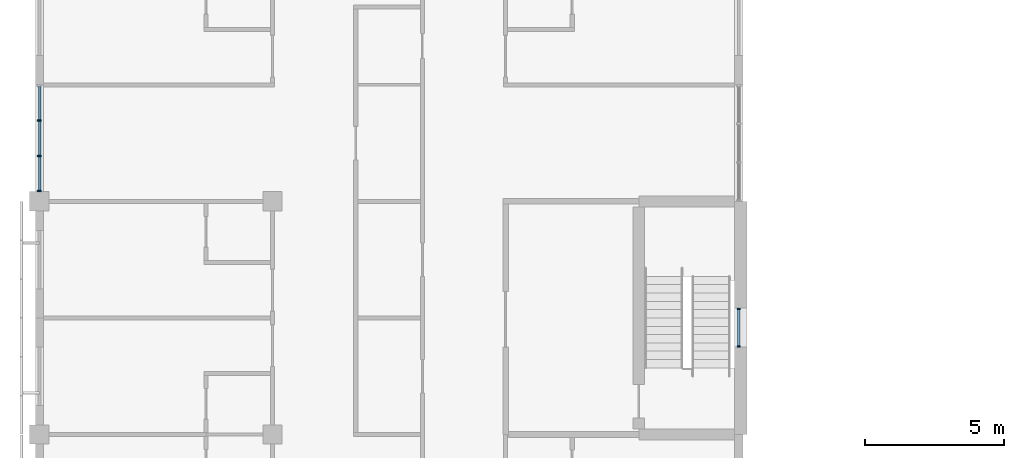
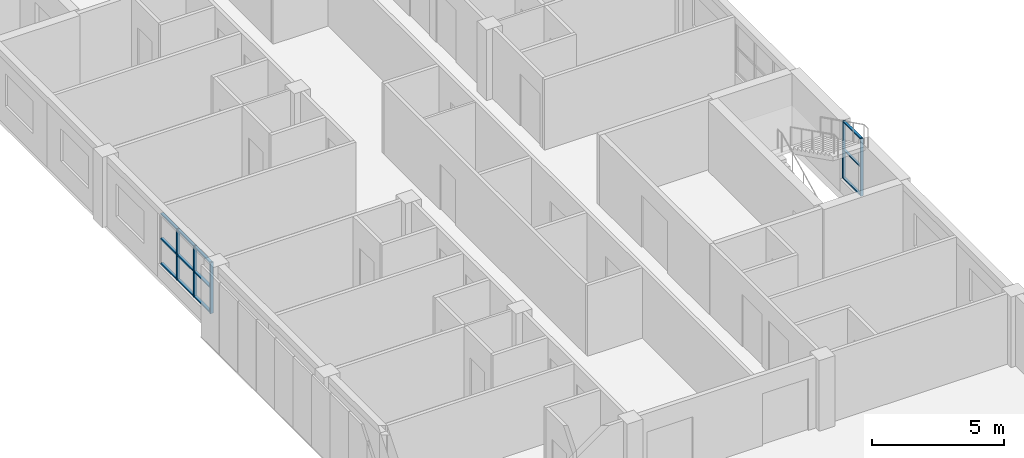
# One storey, part 7 of 61: 17 members, 2 elements without a shape of their own.
"""IFC4 building model written with IfcOpenShell, lengths in metres."""

from ifc_helpers import new_model, si_unit, direction, frame, origin, origin_2d, place, context, subcontext, project, spatial, rectangle, extrude, material, material_profile, profile_set, type_object, element, aggregate, save


model = new_model("IFC4")

# Units and contexts
model_context = context("Model", 3, precision=1e-05, world=origin(), true_north=direction((0.0, 1.0)))
body_context = subcontext(model_context, "Body", "Model", "MODEL_VIEW")
ifc_project = project(units=[si_unit("LENGTHUNIT", "METRE"), si_unit("AREAUNIT", "SQUARE_METRE"), si_unit("VOLUMEUNIT", "CUBIC_METRE"), si_unit("PLANEANGLEUNIT", "RADIAN"), si_unit("MASSUNIT", "GRAM", prefix="KILO")], contexts=[model_context])

# Site, building, storey
site_placement = place(None, origin())
site = spatial("IfcSite", under=ifc_project, at=site_placement, CompositionType="ELEMENT")
building_placement = place(site_placement, origin())
building = spatial("IfcBuilding", under=site, at=building_placement, Name="Yavir Park General Hospital", CompositionType="ELEMENT")
storey_placement = place(building_placement, frame((0.0, 0.0, 15.300048828125)))
storey = spatial("IfcBuildingStorey", under=building, at=storey_placement, Name="L03", CompositionType="ELEMENT", Elevation=15.300048828125)

# Curtain wall, members
ifc_material_1 = material(Name="Aluminium curtain wall frame with insulated glazing", Category="aluminium")
curtain_wall_type_1 = type_object("IfcCurtainWallType", Name="Day room pocket glazing, ward floors, 2360 high, 1400 module", PredefinedType="NOTDEFINED", material=ifc_material_1)
curtain_wall_1_placement = place(storey_placement, origin())
curtain_wall_1 = element("IfcCurtainWall", 1, at=curtain_wall_1_placement, inside=storey, type_object=curtain_wall_type_1, Name="CW6 L03-018", PredefinedType="NOTDEFINED")
ifc_material_2 = material(Name="Aluminium", Category="aluminium")
ifc_material_profile_1 = material_profile(ifc_material_2, rectangle(XDim=0.139892578125, YDim=0.06005859375, at=origin_2d()), Name="AL 60x140")
ifc_profile_set_1 = profile_set([ifc_material_profile_1], Name="Aluminium")
member_type_1 = type_object("IfcMemberType", Name="Day room pocket glazing, ward floors, 2360 high mullion 60 x 140", PredefinedType="MULLION", material=ifc_profile_set_1)
member_1_placement = place(storey_placement, frame((0.0, 50.780029296875, 0.599853515625), z_axis=(0.0, 0.0, 1.0), x_axis=(-1.0, 0.0, 0.0)))
member_1 = element("IfcMember", 2, at=member_1_placement, type_object=member_type_1, Name="CW6 mullion 1", PredefinedType="MULLION", context=body_context, shape_type="SweptSolid", body=[
    extrude(rectangle(XDim=0.139892578125, YDim=0.06005859375, at=origin_2d()), origin(), (0.0, 0.0, 1.0), 2.360107421875),
])
member_2_placement = place(storey_placement, frame((0.0, 52.033447265625, 0.599853515625), z_axis=(0.0, 0.0, 1.0), x_axis=(-1.0, 0.0, 0.0)))
member_2 = element("IfcMember", 3, at=member_2_placement, type_object=member_type_1, Name="CW6 mullion 2", PredefinedType="MULLION", context=body_context, shape_type="SweptSolid", body=[
    extrude(rectangle(XDim=0.139892578125, YDim=0.06005859375, at=origin_2d()), origin(), (0.0, 0.0, 1.0), 2.360107421875),
])
member_3_placement = place(storey_placement, frame((0.0, 53.316650390625, 0.599853515625), z_axis=(0.0, 0.0, 1.0), x_axis=(-1.0, 0.0, 0.0)))
member_3 = element("IfcMember", 4, at=member_3_placement, type_object=member_type_1, Name="CW6 mullion 3", PredefinedType="MULLION", context=body_context, shape_type="SweptSolid", body=[
    extrude(rectangle(XDim=0.139892578125, YDim=0.06005859375, at=origin_2d()), origin(), (0.0, 0.0, 1.0), 2.360107421875),
])
ifc_material_3 = material(Name="Aluminium", Category="aluminium")
ifc_material_profile_2 = material_profile(ifc_material_3, rectangle(XDim=0.1201171875, YDim=0.06005859375, at=origin_2d()), Name="AL 120x60")
ifc_profile_set_2 = profile_set([ifc_material_profile_2], Name="Aluminium")
member_type_2 = type_object("IfcMemberType", Name="Day room pocket glazing, ward floors, 2360 high transom 60 x 120", PredefinedType="MULLION", material=ifc_profile_set_2)
member_4_placement = place(storey_placement, frame((0.0, 50.81005859375, 0.6298828125), z_axis=(0.0, 1.0, 0.0), x_axis=(-1.0, 0.0, 0.0)))
member_4 = element("IfcMember", 5, at=member_4_placement, type_object=member_type_2, Name="CW6 transom 1.1", PredefinedType="MULLION", context=body_context, shape_type="SweptSolid", body=[
    extrude(rectangle(XDim=0.1201171875, YDim=0.06005859375, at=origin_2d()), origin(), (0.0, 0.0, 1.0), 1.193359375),
])
member_5_placement = place(storey_placement, frame((0.0, 50.81005859375, 1.780029296875), z_axis=(0.0, 1.0, 0.0), x_axis=(-1.0, 0.0, 0.0)))
member_5 = element("IfcMember", 6, at=member_5_placement, type_object=member_type_2, Name="CW6 transom 1.2", PredefinedType="MULLION", context=body_context, shape_type="SweptSolid", body=[
    extrude(rectangle(XDim=0.1201171875, YDim=0.06005859375, at=origin_2d()), origin(), (0.0, 0.0, 1.0), 1.193359375),
])
member_6_placement = place(storey_placement, frame((0.0, 50.81005859375, 2.929931640625), z_axis=(0.0, 1.0, 0.0), x_axis=(-1.0, 0.0, 0.0)))
member_6 = element("IfcMember", 7, at=member_6_placement, type_object=member_type_2, Name="CW6 transom 1.3", PredefinedType="MULLION", context=body_context, shape_type="SweptSolid", body=[
    extrude(rectangle(XDim=0.1201171875, YDim=0.06005859375, at=origin_2d()), origin(), (0.0, 0.0, 1.0), 1.193359375),
])
member_7_placement = place(storey_placement, frame((0.0, 52.063232421875, 0.6298828125), z_axis=(0.0, 1.0, 0.0), x_axis=(-1.0, 0.0, 0.0)))
member_7 = element("IfcMember", 8, at=member_7_placement, type_object=member_type_2, Name="CW6 transom 2.1", PredefinedType="MULLION", context=body_context, shape_type="SweptSolid", body=[
    extrude(rectangle(XDim=0.1201171875, YDim=0.06005859375, at=origin_2d()), origin(), (0.0, 0.0, 1.0), 1.223388671875),
])
member_8_placement = place(storey_placement, frame((0.0, 52.063232421875, 1.780029296875), z_axis=(0.0, 1.0, 0.0), x_axis=(-1.0, 0.0, 0.0)))
member_8 = element("IfcMember", 9, at=member_8_placement, type_object=member_type_2, Name="CW6 transom 2.2", PredefinedType="MULLION", context=body_context, shape_type="SweptSolid", body=[
    extrude(rectangle(XDim=0.1201171875, YDim=0.06005859375, at=origin_2d()), origin(), (0.0, 0.0, 1.0), 1.223388671875),
])
member_9_placement = place(storey_placement, frame((0.0, 52.063232421875, 2.929931640625), z_axis=(0.0, 1.0, 0.0), x_axis=(-1.0, 0.0, 0.0)))
member_9 = element("IfcMember", 10, at=member_9_placement, type_object=member_type_2, Name="CW6 transom 2.3", PredefinedType="MULLION", context=body_context, shape_type="SweptSolid", body=[
    extrude(rectangle(XDim=0.1201171875, YDim=0.06005859375, at=origin_2d()), origin(), (0.0, 0.0, 1.0), 1.223388671875),
])
member_10_placement = place(storey_placement, frame((0.0, 53.3466796875, 0.6298828125), z_axis=(0.0, 1.0, 0.0), x_axis=(-1.0, 0.0, 0.0)))
member_10 = element("IfcMember", 11, at=member_10_placement, type_object=member_type_2, Name="CW6 transom 3.1", PredefinedType="MULLION", context=body_context, shape_type="SweptSolid", body=[
    extrude(rectangle(XDim=0.1201171875, YDim=0.06005859375, at=origin_2d()), origin(), (0.0, 0.0, 1.0), 1.193359375),
])
member_11_placement = place(storey_placement, frame((0.0, 53.3466796875, 1.780029296875), z_axis=(0.0, 1.0, 0.0), x_axis=(-1.0, 0.0, 0.0)))
member_11 = element("IfcMember", 12, at=member_11_placement, type_object=member_type_2, Name="CW6 transom 3.2", PredefinedType="MULLION", context=body_context, shape_type="SweptSolid", body=[
    extrude(rectangle(XDim=0.1201171875, YDim=0.06005859375, at=origin_2d()), origin(), (0.0, 0.0, 1.0), 1.193359375),
])
member_12_placement = place(storey_placement, frame((0.0, 53.3466796875, 2.929931640625), z_axis=(0.0, 1.0, 0.0), x_axis=(-1.0, 0.0, 0.0)))
member_12 = element("IfcMember", 13, at=member_12_placement, type_object=member_type_2, Name="CW6 transom 3.3", PredefinedType="MULLION", context=body_context, shape_type="SweptSolid", body=[
    extrude(rectangle(XDim=0.1201171875, YDim=0.06005859375, at=origin_2d()), origin(), (0.0, 0.0, 1.0), 1.193359375),
])
aggregate(curtain_wall_1, [member_1, member_2, member_3, member_4, member_5, member_6, member_7, member_8, member_9, member_10, member_11, member_12])

ifc_material_4 = material(Name="Aluminium curtain wall frame with insulated glazing", Category="aluminium")
curtain_wall_type_2 = type_object("IfcCurtainWallType", Name="Stair light slot, ward floors, 2660 high, 1400 module", PredefinedType="NOTDEFINED", material=ifc_material_4)
curtain_wall_2_placement = place(storey_placement, origin())
curtain_wall_2 = element("IfcCurtainWall", 14, at=curtain_wall_2_placement, inside=storey, type_object=curtain_wall_type_2, Name="CW10 L03-022", PredefinedType="NOTDEFINED")
ifc_material_5 = material(Name="Aluminium", Category="aluminium")
ifc_material_profile_3 = material_profile(ifc_material_5, rectangle(XDim=0.1201171875, YDim=0.050048828125, at=origin_2d()), Name="AL 50x120")
ifc_profile_set_3 = profile_set([ifc_material_profile_3], Name="Aluminium")
member_type_3 = type_object("IfcMemberType", Name="Stair light slot, ward floors, 2660 high mullion 50 x 120", PredefinedType="MULLION", material=ifc_profile_set_3)
member_13_placement = place(storey_placement, frame((25.199951171875, 45.175048828125, 0.599853515625), z_axis=(0.0, 0.0, 1.0), x_axis=(-1.0, 0.0, 0.0)))
member_13 = element("IfcMember", 15, at=member_13_placement, type_object=member_type_3, Name="CW10 mullion 1", PredefinedType="MULLION", context=body_context, shape_type="SweptSolid", body=[
    extrude(rectangle(XDim=0.1201171875, YDim=0.050048828125, at=origin_2d()), origin(), (0.0, 0.0, 1.0), 2.66015625),
])
member_14_placement = place(storey_placement, frame((25.199951171875, 46.52490234375, 0.599853515625), z_axis=(0.0, 0.0, 1.0), x_axis=(-1.0, 0.0, 0.0)))
member_14 = element("IfcMember", 16, at=member_14_placement, type_object=member_type_3, Name="CW10 mullion 2", PredefinedType="MULLION", context=body_context, shape_type="SweptSolid", body=[
    extrude(rectangle(XDim=0.1201171875, YDim=0.050048828125, at=origin_2d()), origin(), (0.0, 0.0, 1.0), 2.66015625),
])
ifc_material_6 = material(Name="Aluminium", Category="aluminium")
ifc_material_profile_4 = material_profile(ifc_material_6, rectangle(XDim=0.10009765625, YDim=0.050048828125, at=origin_2d()), Name="AL 100x50")
ifc_profile_set_4 = profile_set([ifc_material_profile_4], Name="Aluminium")
member_type_4 = type_object("IfcMemberType", Name="Stair light slot, ward floors, 2660 high transom 50 x 100", PredefinedType="MULLION", material=ifc_profile_set_4)
member_15_placement = place(storey_placement, frame((25.199951171875, 45.199951171875, 0.625), z_axis=(0.0, 1.0, 0.0), x_axis=(-1.0, 0.0, 0.0)))
member_15 = element("IfcMember", 17, at=member_15_placement, type_object=member_type_4, Name="CW10 transom 1.1", PredefinedType="MULLION", context=body_context, shape_type="SweptSolid", body=[
    extrude(rectangle(XDim=0.10009765625, YDim=0.050048828125, at=origin_2d()), origin(), (0.0, 0.0, 1.0), 1.300048828125),
])
member_16_placement = place(storey_placement, frame((25.199951171875, 45.199951171875, 1.929931640625), z_axis=(0.0, 1.0, 0.0), x_axis=(-1.0, 0.0, 0.0)))
member_16 = element("IfcMember", 18, at=member_16_placement, type_object=member_type_4, Name="CW10 transom 1.2", PredefinedType="MULLION", context=body_context, shape_type="SweptSolid", body=[
    extrude(rectangle(XDim=0.10009765625, YDim=0.050048828125, at=origin_2d()), origin(), (0.0, 0.0, 1.0), 1.300048828125),
])
member_17_placement = place(storey_placement, frame((25.199951171875, 45.199951171875, 3.23486328125), z_axis=(0.0, 1.0, 0.0), x_axis=(-1.0, 0.0, 0.0)))
member_17 = element("IfcMember", 19, at=member_17_placement, type_object=member_type_4, Name="CW10 transom 1.3", PredefinedType="MULLION", context=body_context, shape_type="SweptSolid", body=[
    extrude(rectangle(XDim=0.10009765625, YDim=0.050048828125, at=origin_2d()), origin(), (0.0, 0.0, 1.0), 1.300048828125),
])
aggregate(curtain_wall_2, [member_13, member_14, member_15, member_16, member_17])

save(model, "model.ifc")
